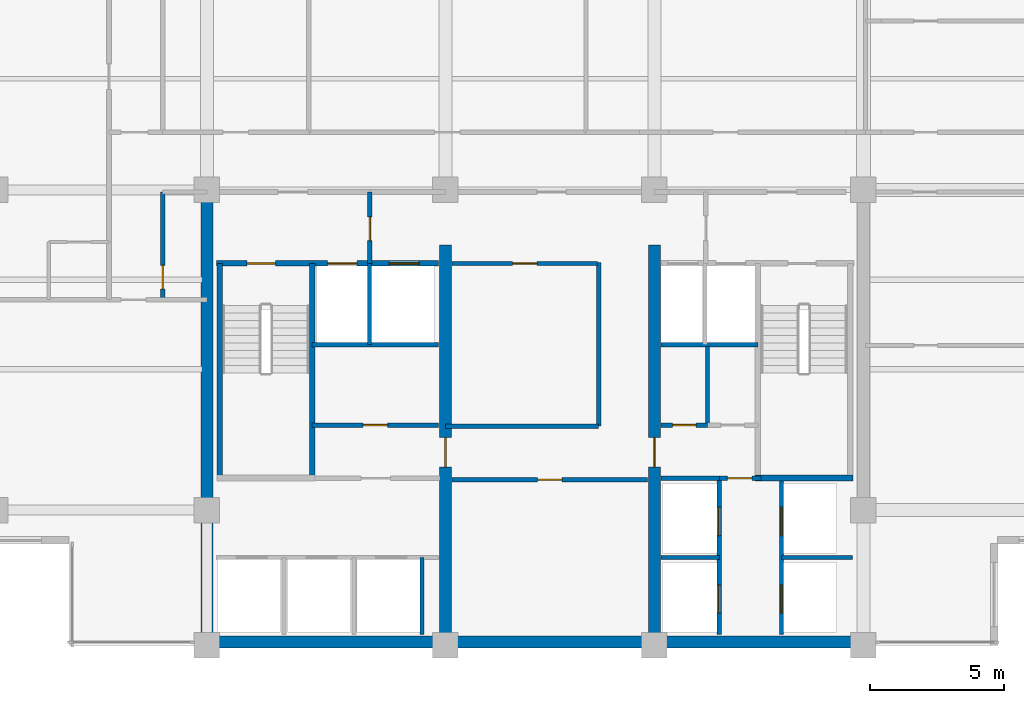
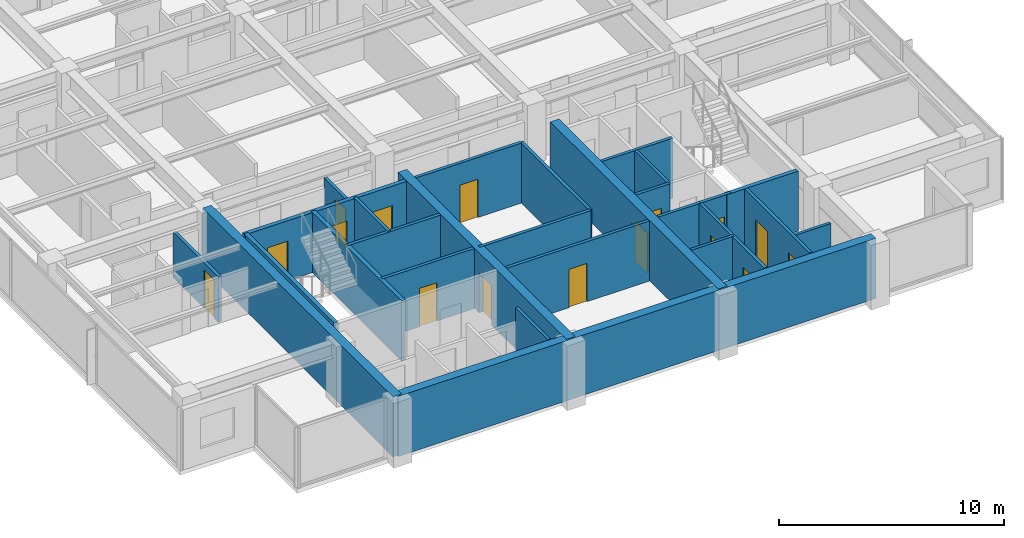
# One storey, part 7 of 14: 27 walls, 16 doors, 16 openings.
"""IFC4 building model written with IfcOpenShell, lengths in metres."""

from ifc_helpers import new_model, si_unit, direction, frame, frame_2d, origin, place, context, subcontext, project, spatial, rectangle, extrude, material, layer, layer_set, type_object, element, fill, save


model = new_model("IFC4")

# Units and contexts
model_context = context("Model", 3, precision=1e-05, world=origin(), true_north=direction((0.0, 1.0)))
body_context = subcontext(model_context, "Body", "Model", "MODEL_VIEW")
ifc_project = project(units=[si_unit("LENGTHUNIT", "METRE"), si_unit("AREAUNIT", "SQUARE_METRE"), si_unit("VOLUMEUNIT", "CUBIC_METRE"), si_unit("PLANEANGLEUNIT", "RADIAN"), si_unit("MASSUNIT", "GRAM", prefix="KILO")], contexts=[model_context])

# Site, building, storey
site_placement = place(None, origin())
site = spatial("IfcSite", under=ifc_project, at=site_placement, CompositionType="ELEMENT")
building_placement = place(site_placement, origin())
building = spatial("IfcBuilding", under=site, at=building_placement, Name="Qalmaran Belvedere Hotel", CompositionType="ELEMENT")
storey_placement = place(building_placement, frame((0.0, 0.0, 235.39990234375)))
storey = spatial("IfcBuildingStorey", under=building, at=storey_placement, Name="L60", CompositionType="ELEMENT", Elevation=235.39990234375)

# Wall
ifc_material_1 = material(Name="Concrete C50/60", Category="concrete")
ifc_layer_1 = layer(ifc_material_1, 0.449951171875, Name="Concrete C50/60")
ifc_layer_set_1 = layer_set([ifc_layer_1], Name="Concrete C50/60")
wall_type_1 = type_object("IfcWallType", Name="WL-CORE-450-C50", PredefinedType="SHEAR", material=ifc_layer_set_1)
wall_1_placement = place(storey_placement, frame((20.300048828125, 3.5, 0.0), z_axis=(0.0, 0.0, 1.0), x_axis=(0.0, 1.0, 0.0)))
element("IfcWall", 1, at=wall_1_placement, inside=storey, type_object=wall_type_1, Name="L60 West Core Shear Wall", PredefinedType="SHEAR", context=body_context, shape_type="SweptSolid", body=[
    extrude(rectangle(XDim=16.89990234375, YDim=0.449951171875, at=frame_2d((8.449951171875, 0.0))), origin(), (0.0, 0.0, 1.0), 3.260009765625),
])

# Wall, opening, door
wall_2_placement = place(storey_placement, frame((29.199951171875, 3.5, 0.0), z_axis=(0.0, 0.0, 1.0), x_axis=(0.0, 1.0, 0.0)))
wall_2 = element("IfcWall", 2, at=wall_2_placement, inside=storey, type_object=wall_type_1, Name="L60 Core West Spine Shear Wall", PredefinedType="SHEAR", context=body_context, shape_type="SweptSolid", body=[
    extrude(rectangle(XDim=14.949951171875, YDim=0.449951171875, at=frame_2d((7.47509765625, 0.0))), origin(), (0.0, 0.0, 1.0), 3.260009765625),
])
opening_1_placement = place(wall_2_placement, frame((7.75, 0.0, 0.0), z_axis=(0.0, 0.0, 1.0), x_axis=(-1.0, 0.0, 0.0)))
opening_1 = element("IfcOpeningElement", 3, at=opening_1_placement, cuts=wall_2, Name="Opening FD90", PredefinedType="OPENING", context=body_context, shape_type="SweptSolid", body=[
    extrude(rectangle(XDim=1.10009765625, YDim=2.14990234375, at=frame_2d((0.550048828125, 1.074951171875))), frame((0.0, 0.23486328125, 0.0), z_axis=(0.0, -1.0, 0.0), x_axis=(1.0, 0.0, 0.0)), (0.0, 0.0, 1.0), 0.469970703125),
])
ifc_material_2 = material(Name="Steel S355JR", Category="steel")
door_type_1 = type_object("IfcDoorType", Name="DR-FD90-1100X2150", OperationType="NOTDEFINED", PredefinedType="DOOR", material=ifc_material_2)
door_1_placement = place(opening_1_placement, origin())
door_1 = element("IfcDoor", 4, at=door_1_placement, inside=storey, type_object=door_type_1, Name="L60 Core West Cross-Lobby Door", OperationType="SINGLE_SWING_LEFT", OverallHeight=2.14990234375, OverallWidth=1.10009765625, PredefinedType="DOOR", context=body_context, shape_type="SweptSolid", body=[
    extrude(rectangle(XDim=1.10009765625, YDim=2.14990234375, at=frame_2d((0.550048828125, 1.074951171875))), frame((0.0, 0.02490234375, 0.0), z_axis=(0.0, -1.0, 0.0), x_axis=(1.0, 0.0, 0.0)), (0.0, 0.0, 1.0), 0.050048828125),
])
fill(opening_1, door_1)

wall_3_placement = place(storey_placement, frame((37.0, 3.5, 0.0), z_axis=(0.0, 0.0, 1.0), x_axis=(0.0, 1.0, 0.0)))
wall_3 = element("IfcWall", 5, at=wall_3_placement, inside=storey, type_object=wall_type_1, Name="L60 Core East Spine Shear Wall", PredefinedType="SHEAR", context=body_context, shape_type="SweptSolid", body=[
    extrude(rectangle(XDim=14.949951171875, YDim=0.449951171875, at=frame_2d((7.47509765625, 0.0))), origin(), (0.0, 0.0, 1.0), 3.260009765625),
])
opening_2_placement = place(wall_3_placement, frame((6.64990234375, 0.0, 0.0)))
opening_2 = element("IfcOpeningElement", 6, at=opening_2_placement, cuts=wall_3, Name="Opening FD90", PredefinedType="OPENING", context=body_context, shape_type="SweptSolid", body=[
    extrude(rectangle(XDim=1.10009765625, YDim=2.14990234375, at=frame_2d((0.550048828125, 1.074951171875))), frame((0.0, 0.23486328125, 0.0), z_axis=(0.0, -1.0, 0.0), x_axis=(1.0, 0.0, 0.0)), (0.0, 0.0, 1.0), 0.469970703125),
])
door_2_placement = place(opening_2_placement, origin())
door_2 = element("IfcDoor", 7, at=door_2_placement, inside=storey, type_object=door_type_1, Name="L60 Core East Cross-Lobby Door", OperationType="SINGLE_SWING_RIGHT", OverallHeight=2.14990234375, OverallWidth=1.10009765625, PredefinedType="DOOR", context=body_context, shape_type="SweptSolid", body=[
    extrude(rectangle(XDim=1.10009765625, YDim=2.14990234375, at=frame_2d((0.550048828125, 1.074951171875))), frame((0.0, 0.02490234375, 0.0), z_axis=(0.0, -1.0, 0.0), x_axis=(1.0, 0.0, 0.0)), (0.0, 0.0, 1.0), 0.050048828125),
])
fill(opening_2, door_2)

# Walls
ifc_layer_2 = layer(ifc_material_1, 0.43994140625, Name="Concrete C50/60")
ifc_layer_set_2 = layer_set([ifc_layer_2], Name="Concrete C50/60")
wall_type_2 = type_object("IfcWallType", Name="WL-CORES-440-EXT", PredefinedType="SHEAR", material=ifc_layer_set_2)
wall_4_placement = place(storey_placement, frame((20.300048828125, 3.6298828125, 0.0), z_axis=(0.0, 0.0, 1.0), x_axis=(1.0, 0.0, 0.0)))
element("IfcWall", 8, at=wall_4_placement, inside=storey, type_object=wall_type_2, Name="L60 South Core Shear Wall", PredefinedType="SHEAR", context=body_context, shape_type="SweptSolid", body=[
    extrude(rectangle(XDim=24.5, YDim=0.43994140625, at=frame_2d((12.25, 0.0))), origin(), (0.0, 0.0, 1.0), 3.260009765625),
])
ifc_material_3 = material(Name="Gypsum Stud Partition")
ifc_layer_3 = layer(ifc_material_3, 0.14990234375, Name="Gypsum Stud Partition")
ifc_layer_set_3 = layer_set([ifc_layer_3], Name="Gypsum Stud Partition")
wall_type_3 = type_object("IfcWallType", Name="WL-INT-150-EI120", PredefinedType="PARTITIONING", material=ifc_layer_set_3)
wall_5_placement = place(storey_placement, frame((26.360107421875, 14.719970703125, 0.0), z_axis=(0.0, 0.0, 1.0), x_axis=(0.0, 1.0, 0.0)))
element("IfcWall", 9, at=wall_5_placement, inside=storey, type_object=wall_type_3, Name="L60 Partition WL-FF1M-L60", PredefinedType="PARTITIONING", context=body_context, shape_type="SweptSolid", body=[
    extrude(rectangle(XDim=3.0400390625, YDim=0.14990234375, at=frame_2d((1.52001953125, 0.0))), origin(), (0.0, 0.0, 1.0), 3.260009765625),
])
wall_6_placement = place(storey_placement, frame((28.320068359375, 3.89990234375, 0.0), z_axis=(0.0, 0.0, 1.0), x_axis=(0.0, 1.0, 0.0)))
element("IfcWall", 10, at=wall_6_placement, inside=storey, type_object=wall_type_3, Name="L60 Partition WL-POM3-L60", PredefinedType="PARTITIONING", context=body_context, shape_type="SweptSolid", body=[
    extrude(rectangle(XDim=2.880126953125, YDim=0.14990234375, at=frame_2d((1.43994140625, 0.0))), origin(), (0.0, 0.0, 1.0), 3.260009765625),
])
wall_7_placement = place(storey_placement, frame((37.25, 6.780029296875, 0.0), z_axis=(0.0, 0.0, 1.0), x_axis=(1.0, 0.0, 0.0)))
element("IfcWall", 11, at=wall_7_placement, inside=storey, type_object=wall_type_3, Name="L60 Partition WL-PHMW-L60", PredefinedType="PARTITIONING", context=body_context, shape_type="SweptSolid", body=[
    extrude(rectangle(XDim=2.169921875, YDim=0.14990234375, at=frame_2d((1.0849609375, 0.0))), origin(), (0.0, 0.0, 1.0), 3.260009765625),
])
wall_8_placement = place(storey_placement, frame((41.739990234375, 6.780029296875, 0.0), z_axis=(0.0, 0.0, 1.0), x_axis=(1.0, 0.0, 0.0)))
element("IfcWall", 12, at=wall_8_placement, inside=storey, type_object=wall_type_3, Name="L60 Partition WL-PHME-L60", PredefinedType="PARTITIONING", context=body_context, shape_type="SweptSolid", body=[
    extrude(rectangle(XDim=2.659912109375, YDim=0.14990234375, at=frame_2d((1.330078125, 0.0))), origin(), (0.0, 0.0, 1.0), 2.205078125),
])
ifc_layer_4 = layer(ifc_material_3, 0.14990234375, Name="Gypsum Stud Partition")
ifc_layer_set_4 = layer_set([ifc_layer_4], Name="Gypsum Stud Partition")
wall_type_4 = type_object("IfcWallType", Name="WL-INT-150-EI60", PredefinedType="PARTITIONING", material=ifc_layer_set_4)
wall_9_placement = place(storey_placement, frame((38.98291015625, 11.719970703125, 0.0), z_axis=(0.0, 0.0, 1.0), x_axis=(0.0, 1.0, 0.0)))
element("IfcWall", 13, at=wall_9_placement, inside=storey, type_object=wall_type_4, Name="L60 Partition WL-L60-KEV1", PredefinedType="PARTITIONING", context=body_context, shape_type="SweptSolid", body=[
    extrude(rectangle(XDim=2.929931640625, YDim=0.14990234375, at=frame_2d((1.46484375, 0.0))), origin(), (0.0, 0.0, 1.0), 3.260009765625),
])

# Wall, opening, door
ifc_layer_5 = layer(ifc_material_3, 0.159912109375, Name="Gypsum Stud Partition")
ifc_layer_set_5 = layer_set([ifc_layer_5], Name="Gypsum Stud Partition")
wall_type_5 = type_object("IfcWallType", Name="WL-INT-160-EI120", PredefinedType="PARTITIONING", material=ifc_layer_set_5)
wall_10_placement = place(storey_placement, frame((26.3798828125, 17.760009765625, 0.0), z_axis=(0.0, 0.0, 1.0), x_axis=(0.0, 1.0, 0.0)))
wall_10 = element("IfcWall", 14, at=wall_10_placement, inside=storey, type_object=wall_type_5, Name="L60 Partition WL-FFSV1-L60", PredefinedType="PARTITIONING", context=body_context, shape_type="SweptSolid", body=[
    extrude(rectangle(XDim=2.659912109375, YDim=0.159912109375, at=frame_2d((1.330078125, 0.0))), origin(), (0.0, 0.0, 1.0), 2.7060546875),
])
opening_3_placement = place(wall_10_placement, frame((0.85009765625, 0.0, 0.0)))
opening_3 = element("IfcOpeningElement", 15, at=opening_3_placement, cuts=wall_10, Name="Opening FD60B", PredefinedType="OPENING", context=body_context, shape_type="SweptSolid", body=[
    extrude(rectangle(XDim=0.8798828125, YDim=2.080078125, at=frame_2d((0.43994140625, 1.0400390625))), frame((0.0, 0.08984375, 0.0), z_axis=(0.0, -1.0, 0.0), x_axis=(1.0, 0.0, 0.0)), (0.0, 0.0, 1.0), 0.179931640625),
])
door_type_2 = type_object("IfcDoorType", Name="DR-FD60B-880X2080", OperationType="NOTDEFINED", PredefinedType="DOOR", material=ifc_material_2)
door_3_placement = place(opening_3_placement, origin())
door_3 = element("IfcDoor", 16, at=door_3_placement, inside=storey, type_object=door_type_2, Name="L60 Service Lobby West Door", OperationType="SINGLE_SWING_LEFT", OverallHeight=2.080078125, OverallWidth=0.8798828125, PredefinedType="DOOR", context=body_context, shape_type="SweptSolid", body=[
    extrude(rectangle(XDim=0.8798828125, YDim=2.080078125, at=frame_2d((0.43994140625, 1.0400390625))), frame((0.0, 0.02490234375, 0.0), z_axis=(0.0, -1.0, 0.0), x_axis=(1.0, 0.0, 0.0)), (0.0, 0.0, 1.0), 0.050048828125),
])
fill(opening_3, door_3)

# Walls
wall_11_placement = place(storey_placement, frame((24.219970703125, 14.719970703125, 0.0), z_axis=(0.0, 0.0, 1.0), x_axis=(1.0, 0.0, 0.0)))
element("IfcWall", 17, at=wall_11_placement, inside=storey, type_object=wall_type_5, Name="L60 Partition WL-FF1S-L60", PredefinedType="PARTITIONING", context=body_context, shape_type="SweptSolid", body=[
    extrude(rectangle(XDim=4.72998046875, YDim=0.159912109375, at=frame_2d((2.364990234375, 0.0))), origin(), (0.0, 0.0, 1.0), 3.260009765625),
])
wall_12_placement = place(storey_placement, frame((37.25, 14.719970703125, 0.0), z_axis=(0.0, 0.0, 1.0), x_axis=(1.0, 0.0, 0.0)))
element("IfcWall", 18, at=wall_12_placement, inside=storey, type_object=wall_type_5, Name="L60 Partition WL-FF2S-L60", PredefinedType="PARTITIONING", context=body_context, shape_type="SweptSolid", body=[
    extrude(rectangle(XDim=3.610107421875, YDim=0.159912109375, at=frame_2d((1.80517578125, 0.0))), origin(), (0.0, 0.0, 1.0), 3.260009765625),
])

# Wall, openings, doors
wall_13_placement = place(storey_placement, frame((39.419921875, 3.89990234375, 0.0), z_axis=(0.0, 0.0, 1.0), x_axis=(0.0, 1.0, 0.0)))
wall_13 = element("IfcWall", 19, at=wall_13_placement, inside=storey, type_object=wall_type_5, Name="L60 Partition WL-PHW-L60", PredefinedType="PARTITIONING", context=body_context, shape_type="SweptSolid", body=[
    extrude(rectangle(XDim=5.840087890625, YDim=0.159912109375, at=frame_2d((2.919921875, 0.0))), origin(), (0.0, 0.0, 1.0), 3.260009765625),
])
opening_4_placement = place(wall_13_placement, frame((1.860107421875, 0.0, 0.0), z_axis=(0.0, 0.0, 1.0), x_axis=(-1.0, 0.0, 0.0)))
opening_4 = element("IfcOpeningElement", 20, at=opening_4_placement, cuts=wall_13, Name="Opening LD-P2", PredefinedType="OPENING", context=body_context, shape_type="SweptSolid", body=[
    extrude(rectangle(XDim=1.06005859375, YDim=2.159912109375, at=frame_2d((0.530029296875, 1.080078125))), frame((0.0, 0.08984375, 0.0), z_axis=(0.0, -1.0, 0.0), x_axis=(1.0, 0.0, 0.0)), (0.0, 0.0, 1.0), 0.179931640625),
])
opening_5_placement = place(wall_13_placement, frame((4.760009765625, 0.0, 0.0), z_axis=(0.0, 0.0, 1.0), x_axis=(-1.0, 0.0, 0.0)))
opening_5 = element("IfcOpeningElement", 21, at=opening_5_placement, cuts=wall_13, Name="Opening LD-P2", PredefinedType="OPENING", context=body_context, shape_type="SweptSolid", body=[
    extrude(rectangle(XDim=1.06005859375, YDim=2.159912109375, at=frame_2d((0.530029296875, 1.080078125))), frame((0.0, 0.08984375, 0.0), z_axis=(0.0, -1.0, 0.0), x_axis=(1.0, 0.0, 0.0)), (0.0, 0.0, 1.0), 0.179931640625),
])
ifc_material_4 = material(Name="Stainless Steel 1.4401", Category="steel")
door_type_3 = type_object("IfcDoorType", Name="DR-LIFT-P2-1060X2160", OperationType="DOUBLE_DOOR_SLIDING", PredefinedType="DOOR", material=ifc_material_4)
door_4_placement = place(opening_4_placement, origin())
door_4 = element("IfcDoor", 22, at=door_4_placement, inside=storey, type_object=door_type_3, Name="L60 PH1 Lift Landing Door", OperationType="DOUBLE_DOOR_SLIDING", OverallHeight=2.159912109375, OverallWidth=1.06005859375, PredefinedType="DOOR", context=body_context, shape_type="SweptSolid", body=[
    extrude(rectangle(XDim=1.06005859375, YDim=2.159912109375, at=frame_2d((0.530029296875, 1.080078125))), frame((0.0, 0.02490234375, 0.0), z_axis=(0.0, -1.0, 0.0), x_axis=(1.0, 0.0, 0.0)), (0.0, 0.0, 1.0), 0.050048828125),
])
fill(opening_4, door_4)
door_5_placement = place(opening_5_placement, origin())
door_5 = element("IfcDoor", 23, at=door_5_placement, inside=storey, type_object=door_type_3, Name="L60 PH2 Lift Landing Door", OperationType="DOUBLE_DOOR_SLIDING", OverallHeight=2.159912109375, OverallWidth=1.06005859375, PredefinedType="DOOR", context=body_context, shape_type="SweptSolid", body=[
    extrude(rectangle(XDim=1.06005859375, YDim=2.159912109375, at=frame_2d((0.530029296875, 1.080078125))), frame((0.0, 0.02490234375, 0.0), z_axis=(0.0, -1.0, 0.0), x_axis=(1.0, 0.0, 0.0)), (0.0, 0.0, 1.0), 0.050048828125),
])
fill(opening_5, door_5)

wall_14_placement = place(storey_placement, frame((41.739990234375, 3.89990234375, 0.0), z_axis=(0.0, 0.0, 1.0), x_axis=(0.0, 1.0, 0.0)))
wall_14 = element("IfcWall", 24, at=wall_14_placement, inside=storey, type_object=wall_type_5, Name="L60 Partition WL-PHE-L60", PredefinedType="PARTITIONING", context=body_context, shape_type="SweptSolid", body=[
    extrude(rectangle(XDim=5.840087890625, YDim=0.159912109375, at=frame_2d((2.919921875, 0.0))), origin(), (0.0, 0.0, 1.0), 3.260009765625),
])
opening_6_placement = place(wall_14_placement, frame((0.800048828125, 0.0, 0.0)))
opening_6 = element("IfcOpeningElement", 25, at=opening_6_placement, cuts=wall_14, Name="Opening LD-P2", PredefinedType="OPENING", context=body_context, shape_type="SweptSolid", body=[
    extrude(rectangle(XDim=1.06005859375, YDim=2.159912109375, at=frame_2d((0.530029296875, 1.080078125))), frame((0.0, 0.08984375, 0.0), z_axis=(0.0, -1.0, 0.0), x_axis=(1.0, 0.0, 0.0)), (0.0, 0.0, 1.0), 0.179931640625),
])
opening_7_placement = place(wall_14_placement, frame((3.699951171875, 0.0, 0.0)))
opening_7 = element("IfcOpeningElement", 26, at=opening_7_placement, cuts=wall_14, Name="Opening LD-P2", PredefinedType="OPENING", context=body_context, shape_type="SweptSolid", body=[
    extrude(rectangle(XDim=1.06005859375, YDim=2.159912109375, at=frame_2d((0.530029296875, 1.080078125))), frame((0.0, 0.08984375, 0.0), z_axis=(0.0, -1.0, 0.0), x_axis=(1.0, 0.0, 0.0)), (0.0, 0.0, 1.0), 0.179931640625),
])
door_6_placement = place(opening_6_placement, origin())
door_6 = element("IfcDoor", 27, at=door_6_placement, inside=storey, type_object=door_type_3, Name="L60 PH3 Lift Landing Door", OperationType="DOUBLE_DOOR_SLIDING", OverallHeight=2.159912109375, OverallWidth=1.06005859375, PredefinedType="DOOR", context=body_context, shape_type="SweptSolid", body=[
    extrude(rectangle(XDim=1.06005859375, YDim=2.159912109375, at=frame_2d((0.530029296875, 1.080078125))), frame((0.0, 0.02490234375, 0.0), z_axis=(0.0, -1.0, 0.0), x_axis=(1.0, 0.0, 0.0)), (0.0, 0.0, 1.0), 0.050048828125),
])
fill(opening_6, door_6)
door_7_placement = place(opening_7_placement, origin())
door_7 = element("IfcDoor", 28, at=door_7_placement, inside=storey, type_object=door_type_3, Name="L60 PH4 Lift Landing Door", OperationType="DOUBLE_DOOR_SLIDING", OverallHeight=2.159912109375, OverallWidth=1.06005859375, PredefinedType="DOOR", context=body_context, shape_type="SweptSolid", body=[
    extrude(rectangle(XDim=1.06005859375, YDim=2.159912109375, at=frame_2d((0.530029296875, 1.080078125))), frame((0.0, 0.02490234375, 0.0), z_axis=(0.0, -1.0, 0.0), x_axis=(1.0, 0.0, 0.0)), (0.0, 0.0, 1.0), 0.050048828125),
])
fill(opening_7, door_7)

# Wall
wall_15_placement = place(storey_placement, frame((37.25, 9.739990234375, 0.0), z_axis=(0.0, 0.0, 1.0), x_axis=(1.0, 0.0, 0.0)))
element("IfcWall", 29, at=wall_15_placement, inside=storey, type_object=wall_type_5, Name="L60 Partition WL-PHNW-L60", PredefinedType="PARTITIONING", context=body_context, shape_type="SweptSolid", body=[
    extrude(rectangle(XDim=2.169921875, YDim=0.159912109375, at=frame_2d((1.0849609375, 0.0))), origin(), (0.0, 0.0, 1.0), 3.260009765625),
])

# Wall, opening, door
wall_16_placement = place(storey_placement, frame((39.419921875, 9.739990234375, 0.0), z_axis=(0.0, 0.0, 1.0), x_axis=(1.0, 0.0, 0.0)))
wall_16 = element("IfcWall", 30, at=wall_16_placement, inside=storey, type_object=wall_type_5, Name="L60 Partition WL-PHNL-L60", PredefinedType="PARTITIONING", context=body_context, shape_type="SweptSolid", body=[
    extrude(rectangle(XDim=1.56005859375, YDim=0.159912109375, at=frame_2d((0.780029296875, 0.0))), origin(), (0.0, 0.0, 1.0), 3.260009765625),
])
opening_8_placement = place(wall_16_placement, frame((0.300048828125, 0.0, 0.0)))
opening_8 = element("IfcOpeningElement", 31, at=opening_8_placement, cuts=wall_16, Name="Opening FD60S1", PredefinedType="OPENING", context=body_context, shape_type="SweptSolid", body=[
    extrude(rectangle(XDim=0.919921875, YDim=2.080078125, at=frame_2d((0.4599609375, 1.0400390625))), frame((0.0, 0.08984375, 0.0), z_axis=(0.0, -1.0, 0.0), x_axis=(1.0, 0.0, 0.0)), (0.0, 0.0, 1.0), 0.179931640625),
])
ifc_material_5 = material(Name="Engineered Oak Veneer")
door_type_4 = type_object("IfcDoorType", Name="DR-FD60S-920X2080", OperationType="NOTDEFINED", PredefinedType="DOOR", material=ifc_material_5)
door_8_placement = place(opening_8_placement, origin())
door_8 = element("IfcDoor", 32, at=door_8_placement, inside=storey, type_object=door_type_4, Name="L60 High-Rise Lift Lobby Passage Door", OperationType="SINGLE_SWING_RIGHT", OverallHeight=2.080078125, OverallWidth=0.919921875, PredefinedType="DOOR", context=body_context, shape_type="SweptSolid", body=[
    extrude(rectangle(XDim=0.919921875, YDim=2.080078125, at=frame_2d((0.4599609375, 1.0400390625))), frame((0.0, 0.02490234375, 0.0), z_axis=(0.0, -1.0, 0.0), x_axis=(1.0, 0.0, 0.0)), (0.0, 0.0, 1.0), 0.050048828125),
])
fill(opening_8, door_8)

ifc_layer_6 = layer(ifc_material_3, 0.159912109375, Name="Gypsum Stud Partition")
ifc_layer_set_6 = layer_set([ifc_layer_6], Name="Gypsum Stud Partition")
wall_type_6 = type_object("IfcWallType", Name="WL-INT-160-EI60", PredefinedType="PARTITIONING", material=ifc_layer_set_6)
wall_17_placement = place(storey_placement, frame((24.219970703125, 11.719970703125, 0.0), z_axis=(0.0, 0.0, 1.0), x_axis=(1.0, 0.0, 0.0)))
wall_17 = element("IfcWall", 33, at=wall_17_placement, inside=storey, type_object=wall_type_6, Name="L60 Partition WL-L60-KWE1", PredefinedType="PARTITIONING", context=body_context, shape_type="SweptSolid", body=[
    extrude(rectangle(XDim=4.72998046875, YDim=0.159912109375, at=frame_2d((2.364990234375, 0.0))), origin(), (0.0, 0.0, 1.0), 3.260009765625),
])
opening_9_placement = place(wall_17_placement, frame((1.905029296875, 0.0, 0.0)))
opening_9 = element("IfcOpeningElement", 34, at=opening_9_placement, cuts=wall_17, Name="Opening FD60S1", PredefinedType="OPENING", context=body_context, shape_type="SweptSolid", body=[
    extrude(rectangle(XDim=0.919921875, YDim=2.080078125, at=frame_2d((0.4599609375, 1.0400390625))), frame((0.0, 0.08984375, 0.0), z_axis=(0.0, -1.0, 0.0), x_axis=(1.0, 0.0, 0.0)), (0.0, 0.0, 1.0), 0.179931640625),
])
door_9_placement = place(opening_9_placement, origin())
door_9 = element("IfcDoor", 35, at=door_9_placement, inside=storey, type_object=door_type_4, Name="L60 Electrical Distribution Room Door", OperationType="SINGLE_SWING_RIGHT", OverallHeight=2.080078125, OverallWidth=0.919921875, PredefinedType="DOOR", context=body_context, shape_type="SweptSolid", body=[
    extrude(rectangle(XDim=0.919921875, YDim=2.080078125, at=frame_2d((0.4599609375, 1.0400390625))), frame((0.0, 0.02490234375, 0.0), z_axis=(0.0, -1.0, 0.0), x_axis=(1.0, 0.0, 0.0)), (0.0, 0.0, 1.0), 0.050048828125),
])
fill(opening_9, door_9)

wall_18_placement = place(storey_placement, frame((37.25, 11.719970703125, 0.0), z_axis=(0.0, 0.0, 1.0), x_axis=(1.0, 0.0, 0.0)))
wall_18 = element("IfcWall", 36, at=wall_18_placement, inside=storey, type_object=wall_type_6, Name="L60 Partition WL-L60-KEE1", PredefinedType="PARTITIONING", context=body_context, shape_type="SweptSolid", body=[
    extrude(rectangle(XDim=1.73291015625, YDim=0.159912109375, at=frame_2d((0.866455078125, 0.0))), origin(), (0.0, 0.0, 1.0), 3.260009765625),
])
opening_10_placement = place(wall_18_placement, frame((0.426513671875, 0.0, 0.0)))
opening_10 = element("IfcOpeningElement", 37, at=opening_10_placement, cuts=wall_18, Name="Opening FD60B", PredefinedType="OPENING", context=body_context, shape_type="SweptSolid", body=[
    extrude(rectangle(XDim=0.8798828125, YDim=2.080078125, at=frame_2d((0.43994140625, 1.0400390625))), frame((0.0, 0.08984375, 0.0), z_axis=(0.0, -1.0, 0.0), x_axis=(1.0, 0.0, 0.0)), (0.0, 0.0, 1.0), 0.179931640625),
])
door_10_placement = place(opening_10_placement, origin())
door_10 = element("IfcDoor", 38, at=door_10_placement, inside=storey, type_object=door_type_2, Name="L60 Cleaner Equipment Store Door", OperationType="SINGLE_SWING_LEFT", OverallHeight=2.080078125, OverallWidth=0.8798828125, PredefinedType="DOOR", context=body_context, shape_type="SweptSolid", body=[
    extrude(rectangle(XDim=0.8798828125, YDim=2.080078125, at=frame_2d((0.43994140625, 1.0400390625))), frame((0.0, 0.02490234375, 0.0), z_axis=(0.0, -1.0, 0.0), x_axis=(1.0, 0.0, 0.0)), (0.0, 0.0, 1.0), 0.050048828125),
])
fill(opening_10, door_10)

# Wall
wall_19_placement = place(storey_placement, frame((34.919921875, 11.679931640625, 0.0), z_axis=(0.0, 0.0, 1.0), x_axis=(0.0, 1.0, 0.0)))
element("IfcWall", 39, at=wall_19_placement, inside=storey, type_object=wall_type_6, Name="L60 Partition WL-CLLV-L60", PredefinedType="PARTITIONING", context=body_context, shape_type="SweptSolid", body=[
    extrude(rectangle(XDim=6.10009765625, YDim=0.159912109375, at=frame_2d((3.050048828125, 0.0))), origin(), (0.0, 0.0, 1.0), 3.260009765625),
])

# Wall, opening, door
wall_20_placement = place(storey_placement, frame((29.449951171875, 9.679931640625, 0.0), z_axis=(0.0, 0.0, 1.0), x_axis=(1.0, 0.0, 0.0)))
wall_20 = element("IfcWall", 40, at=wall_20_placement, inside=storey, type_object=wall_type_6, Name="L60 Partition WL-L60-KPLE1", PredefinedType="PARTITIONING", context=body_context, shape_type="SweptSolid", body=[
    extrude(rectangle(XDim=7.300048828125, YDim=0.159912109375, at=frame_2d((3.64990234375, 0.0))), origin(), (0.0, 0.0, 1.0), 3.260009765625),
])
opening_11_placement = place(wall_20_placement, frame((4.10986328125, 0.0, 0.0), z_axis=(0.0, 0.0, 1.0), x_axis=(-1.0, 0.0, 0.0)))
opening_11 = element("IfcOpeningElement", 41, at=opening_11_placement, cuts=wall_20, Name="Opening FD60S1", PredefinedType="OPENING", context=body_context, shape_type="SweptSolid", body=[
    extrude(rectangle(XDim=0.919921875, YDim=2.080078125, at=frame_2d((0.4599609375, 1.0400390625))), frame((0.0, 0.08984375, 0.0), z_axis=(0.0, -1.0, 0.0), x_axis=(1.0, 0.0, 0.0)), (0.0, 0.0, 1.0), 0.179931640625),
])
door_11_placement = place(opening_11_placement, origin())
door_11 = element("IfcDoor", 42, at=door_11_placement, inside=storey, type_object=door_type_4, Name="L60 Housekeeping and Linen Room Door", OperationType="SINGLE_SWING_LEFT", OverallHeight=2.080078125, OverallWidth=0.919921875, PredefinedType="DOOR", context=body_context, shape_type="SweptSolid", body=[
    extrude(rectangle(XDim=0.919921875, YDim=2.080078125, at=frame_2d((0.4599609375, 1.0400390625))), frame((0.0, 0.02490234375, 0.0), z_axis=(0.0, -1.0, 0.0), x_axis=(1.0, 0.0, 0.0)), (0.0, 0.0, 1.0), 0.050048828125),
])
fill(opening_11, door_11)

# Wall
wall_21_placement = place(storey_placement, frame((29.199951171875, 11.679931640625, 0.0), z_axis=(0.0, 0.0, 1.0), x_axis=(1.0, 0.0, 0.0)))
element("IfcWall", 43, at=wall_21_placement, inside=storey, type_object=wall_type_6, Name="L60 Partition WL-PMFS-L60", PredefinedType="PARTITIONING", context=body_context, shape_type="SweptSolid", body=[
    extrude(rectangle(XDim=5.719970703125, YDim=0.159912109375, at=frame_2d((2.85986328125, 0.0))), origin(), (0.0, 0.0, 1.0), 3.260009765625),
])

# Wall, opening, door
wall_22_placement = place(storey_placement, frame((29.449951171875, 17.75, 0.0), z_axis=(0.0, 0.0, 1.0), x_axis=(1.0, 0.0, 0.0)))
wall_22 = element("IfcWall", 44, at=wall_22_placement, inside=storey, type_object=wall_type_6, Name="L60 Partition WL-L60-KPME1", PredefinedType="PARTITIONING", context=body_context, shape_type="SweptSolid", body=[
    extrude(rectangle(XDim=5.429931640625, YDim=0.159912109375, at=frame_2d((2.71484375, 0.0))), origin(), (0.0, 0.0, 1.0), 3.260009765625),
])
opening_12_placement = place(wall_22_placement, frame((3.1748046875, 0.0, 0.0), z_axis=(0.0, 0.0, 1.0), x_axis=(-1.0, 0.0, 0.0)))
opening_12 = element("IfcOpeningElement", 45, at=opening_12_placement, cuts=wall_22, Name="Opening FD60S1", PredefinedType="OPENING", context=body_context, shape_type="SweptSolid", body=[
    extrude(rectangle(XDim=0.919921875, YDim=2.080078125, at=frame_2d((0.4599609375, 1.0400390625))), frame((0.0, 0.08984375, 0.0), z_axis=(0.0, -1.0, 0.0), x_axis=(1.0, 0.0, 0.0)), (0.0, 0.0, 1.0), 0.179931640625),
])
door_12_placement = place(opening_12_placement, origin())
door_12 = element("IfcDoor", 46, at=door_12_placement, inside=storey, type_object=door_type_4, Name="L60 Executive Butler Pantry Door", OperationType="SINGLE_SWING_RIGHT", OverallHeight=2.080078125, OverallWidth=0.919921875, PredefinedType="DOOR", context=body_context, shape_type="SweptSolid", body=[
    extrude(rectangle(XDim=0.919921875, YDim=2.080078125, at=frame_2d((0.4599609375, 1.0400390625))), frame((0.0, 0.02490234375, 0.0), z_axis=(0.0, -1.0, 0.0), x_axis=(1.0, 0.0, 0.0)), (0.0, 0.0, 1.0), 0.050048828125),
])
fill(opening_12, door_12)

wall_23_placement = place(storey_placement, frame((18.64990234375, 16.39990234375, 0.0), z_axis=(0.0, 0.0, 1.0), x_axis=(0.0, 1.0, 0.0)))
wall_23 = element("IfcWall", 47, at=wall_23_placement, inside=storey, type_object=wall_type_6, Name="L60 Partition WL-L60-WCL", PredefinedType="PARTITIONING", context=body_context, shape_type="SweptSolid", body=[
    extrude(rectangle(XDim=4.02001953125, YDim=0.159912109375, at=frame_2d((2.010009765625, 0.0))), origin(), (0.0, 0.0, 1.0), 2.47216796875),
])
opening_13_placement = place(wall_23_placement, frame((1.27978515625, 0.0, 0.0), z_axis=(0.0, 0.0, 1.0), x_axis=(-1.0, 0.0, 0.0)))
opening_13 = element("IfcOpeningElement", 48, at=opening_13_placement, cuts=wall_23, Name="Opening FD60B", PredefinedType="OPENING", context=body_context, shape_type="SweptSolid", body=[
    extrude(rectangle(XDim=0.8798828125, YDim=2.080078125, at=frame_2d((0.43994140625, 1.0400390625))), frame((0.0, 0.08984375, 0.0), z_axis=(0.0, -1.0, 0.0), x_axis=(1.0, 0.0, 0.0)), (0.0, 0.0, 1.0), 0.179931640625),
])
door_13_placement = place(opening_13_placement, origin())
door_13 = element("IfcDoor", 49, at=door_13_placement, inside=storey, type_object=door_type_2, Name="L60 West Closet Door", OperationType="SINGLE_SWING_RIGHT", OverallHeight=2.080078125, OverallWidth=0.8798828125, PredefinedType="DOOR", context=body_context, shape_type="SweptSolid", body=[
    extrude(rectangle(XDim=0.8798828125, YDim=2.080078125, at=frame_2d((0.43994140625, 1.0400390625))), frame((0.0, 0.02490234375, 0.0), z_axis=(0.0, -1.0, 0.0), x_axis=(1.0, 0.0, 0.0)), (0.0, 0.0, 1.0), 0.050048828125),
])
fill(opening_13, door_13)

# Walls
ifc_layer_7 = layer(ifc_material_1, 0.2099609375, Name="Concrete C50/60")
ifc_layer_set_7 = layer_set([ifc_layer_7], Name="Concrete C50/60")
wall_type_7 = type_object("IfcWallType", Name="WL-STAIR-210-C50", PredefinedType="SHEAR", material=ifc_layer_set_7)
for number, where, z_axis, x_axis, name in (
    (50, (20.77490234375, 9.7451171875, 0.0), (0.0, 0.0, 1.0), (0.0, 1.0, 0.0), "L60 Stair ST-1 West Bearing Wall"),
    (51, (24.22509765625, 9.7451171875, 0.0), (0.0, 0.0, 1.0), (0.0, 1.0, 0.0), "L60 Stair ST-1 East Bearing Wall"),
):
    element("IfcWall", number, at=place(storey_placement, frame(where, z_axis=z_axis, x_axis=x_axis)), inside=storey, type_object=wall_type_7, Name=name, PredefinedType="SHEAR", context=body_context, shape_type="SweptSolid", body=[
        extrude(rectangle(XDim=8.009765625, YDim=0.2099609375, at=frame_2d((4.0048828125, 0.0))), origin(), (0.0, 0.0, 1.0), 3.260009765625),
    ])

# Wall, openings, doors
wall_24_placement = place(storey_placement, frame((20.64990234375, 17.7548828125, 0.0), z_axis=(0.0, 0.0, 1.0), x_axis=(1.0, 0.0, 0.0)))
wall_24 = element("IfcWall", 52, at=wall_24_placement, inside=storey, type_object=wall_type_7, Name="L60 West Lobby and Stair ST-1 North Bearing Wall", PredefinedType="SHEAR", context=body_context, shape_type="SweptSolid", body=[
    extrude(rectangle(XDim=8.300048828125, YDim=0.2099609375, at=frame_2d((4.14990234375, 0.0))), origin(), (0.0, 0.0, 1.0), 3.260009765625),
])
opening_14_placement = place(wall_24_placement, frame((2.199951171875, 0.0, 0.0), z_axis=(0.0, 0.0, 1.0), x_axis=(-1.0, 0.0, 0.0)))
opening_14 = element("IfcOpeningElement", 53, at=opening_14_placement, cuts=wall_24, Name="Opening FD90S2", PredefinedType="OPENING", context=body_context, shape_type="SweptSolid", body=[
    extrude(rectangle(XDim=1.050048828125, YDim=2.14990234375, at=frame_2d((0.52490234375, 1.074951171875))), frame((0.0, 0.114990234375, 0.0), z_axis=(0.0, -1.0, 0.0), x_axis=(1.0, 0.0, 0.0)), (0.0, 0.0, 1.0), 0.22998046875),
])
opening_15_placement = place(wall_24_placement, frame((4.14990234375, 0.0, 0.0)))
opening_15 = element("IfcOpeningElement", 54, at=opening_15_placement, cuts=wall_24, Name="Opening LD-FF", PredefinedType="OPENING", context=body_context, shape_type="SweptSolid", body=[
    extrude(rectangle(XDim=1.10009765625, YDim=2.179931640625, at=frame_2d((0.550048828125, 1.08984375))), frame((0.0, 0.114990234375, 0.0), z_axis=(0.0, -1.0, 0.0), x_axis=(1.0, 0.0, 0.0)), (0.0, 0.0, 1.0), 0.22998046875),
])
opening_16_placement = place(wall_24_placement, frame((6.449951171875, 0.0, 0.0)))
opening_16 = element("IfcOpeningElement", 55, at=opening_16_placement, cuts=wall_24, Name="Opening LD-SV", PredefinedType="OPENING", context=body_context, shape_type="SweptSolid", body=[
    extrude(rectangle(XDim=1.1201171875, YDim=2.199951171875, at=frame_2d((0.56005859375, 1.10009765625))), frame((0.0, 0.114990234375, 0.0), z_axis=(0.0, -1.0, 0.0), x_axis=(1.0, 0.0, 0.0)), (0.0, 0.0, 1.0), 0.22998046875),
])
door_type_5 = type_object("IfcDoorType", Name="DR-FD90S-1050X2150", OperationType="NOTDEFINED", PredefinedType="DOOR", material=ifc_material_2)
door_14_placement = place(opening_14_placement, origin())
door_14 = element("IfcDoor", 56, at=door_14_placement, inside=storey, type_object=door_type_5, Name="L60 Stair ST-1 Door", OperationType="SINGLE_SWING_LEFT", OverallHeight=2.14990234375, OverallWidth=1.050048828125, PredefinedType="DOOR", context=body_context, shape_type="SweptSolid", body=[
    extrude(rectangle(XDim=1.050048828125, YDim=2.14990234375, at=frame_2d((0.52490234375, 1.074951171875))), frame((0.0, 0.02490234375, 0.0), z_axis=(0.0, -1.0, 0.0), x_axis=(1.0, 0.0, 0.0)), (0.0, 0.0, 1.0), 0.050048828125),
])
fill(opening_14, door_14)
door_type_6 = type_object("IfcDoorType", Name="DR-LIFT-FF-1100X2180", OperationType="DOUBLE_DOOR_SLIDING", PredefinedType="DOOR", material=ifc_material_4)
door_15_placement = place(opening_15_placement, origin())
door_15 = element("IfcDoor", 57, at=door_15_placement, inside=storey, type_object=door_type_6, Name="L60 FF1 Lift Landing Door", OperationType="DOUBLE_DOOR_SLIDING", OverallHeight=2.179931640625, OverallWidth=1.10009765625, PredefinedType="DOOR", context=body_context, shape_type="SweptSolid", body=[
    extrude(rectangle(XDim=1.10009765625, YDim=2.179931640625, at=frame_2d((0.550048828125, 1.08984375))), frame((0.0, 0.02490234375, 0.0), z_axis=(0.0, -1.0, 0.0), x_axis=(1.0, 0.0, 0.0)), (0.0, 0.0, 1.0), 0.050048828125),
])
fill(opening_15, door_15)
door_type_7 = type_object("IfcDoorType", Name="DR-LIFT-SV-1120X2200", OperationType="DOUBLE_DOOR_SLIDING", PredefinedType="DOOR", material=ifc_material_4)
door_16_placement = place(opening_16_placement, origin())
door_16 = element("IfcDoor", 58, at=door_16_placement, inside=storey, type_object=door_type_7, Name="L60 SV1 Lift Landing Door", OperationType="DOUBLE_DOOR_SLIDING", OverallHeight=2.199951171875, OverallWidth=1.1201171875, PredefinedType="DOOR", context=body_context, shape_type="SweptSolid", body=[
    extrude(rectangle(XDim=1.1201171875, YDim=2.199951171875, at=frame_2d((0.56005859375, 1.10009765625))), frame((0.0, 0.02490234375, 0.0), z_axis=(0.0, -1.0, 0.0), x_axis=(1.0, 0.0, 0.0)), (0.0, 0.0, 1.0), 0.050048828125),
])
fill(opening_16, door_16)

# Wall
wall_25_placement = place(storey_placement, frame((40.75, 9.7451171875, 0.0), z_axis=(0.0, 0.0, 1.0), x_axis=(1.0, 0.0, 0.0)))
element("IfcWall", 59, at=wall_25_placement, inside=storey, type_object=wall_type_7, Name="L60 Stair ST-2 South Bearing Wall", PredefinedType="SHEAR", context=body_context, shape_type="SweptSolid", body=[
    extrude(rectangle(XDim=3.659912109375, YDim=0.2099609375, at=frame_2d((1.830078125, 0.0))), origin(), (0.0, 0.0, 1.0), 3.260009765625),
])

save(model, "model.ifc")
